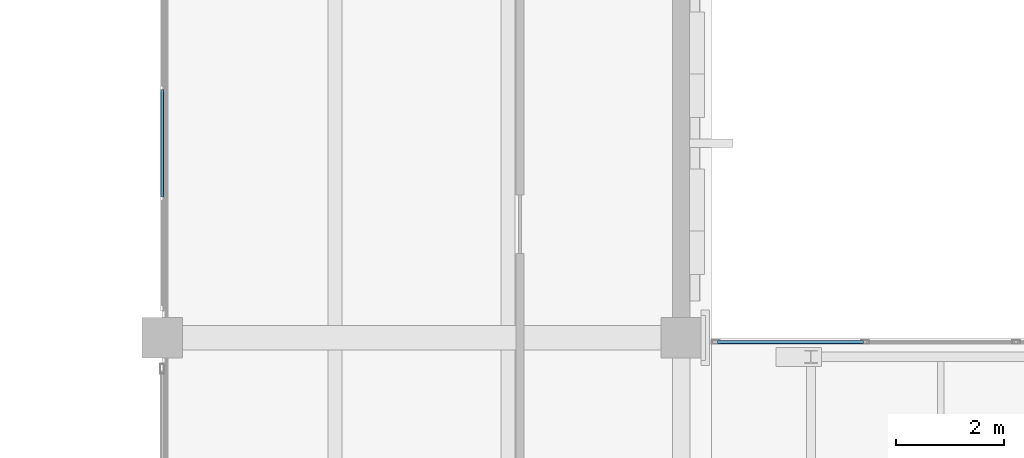
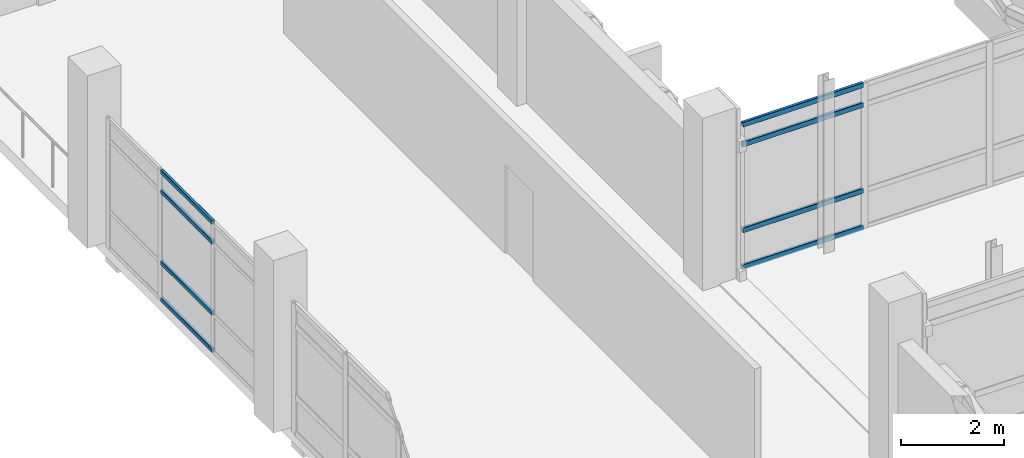
# One storey, part 105 of 180: 8 members, 2 elements without a shape of their own.
"""IFC4 building model written with IfcOpenShell, lengths in metres."""

from ifc_helpers import new_model, si_unit, direction, frame, origin, origin_2d, place, context, subcontext, project, spatial, hollow_rectangle, extrude, material, layer, layer_set, material_profile, profile_set, type_object, element, aggregate, save


model = new_model("IFC4")

# Units and contexts
model_context = context("Model", 3, precision=1e-05, world=origin(), true_north=direction((0.0, 1.0)))
body_context = subcontext(model_context, "Body", "Model", "MODEL_VIEW")
ifc_project = project(units=[si_unit("LENGTHUNIT", "METRE"), si_unit("AREAUNIT", "SQUARE_METRE"), si_unit("VOLUMEUNIT", "CUBIC_METRE"), si_unit("PLANEANGLEUNIT", "RADIAN"), si_unit("MASSUNIT", "GRAM", prefix="KILO")], contexts=[model_context])

# Site, building, storey
site_placement = place(None, origin())
site = spatial("IfcSite", under=ifc_project, at=site_placement, CompositionType="ELEMENT")
building_placement = place(site_placement, origin())
building = spatial("IfcBuilding", under=site, at=building_placement, Name="Asteropetra Specialist Clinic", CompositionType="ELEMENT")
storey_placement = place(building_placement, frame((0.0, 0.0, 4.419921875)))
storey = spatial("IfcBuildingStorey", under=building, at=storey_placement, Name="L01", CompositionType="ELEMENT", Elevation=4.419921875)

# Curtain wall, members
ifc_material_1 = material(Name="Aluminium and low-E glass", Category="aluminium")
ifc_layer_1 = layer(ifc_material_1, 0.179931640625)
ifc_layer_set_1 = layer_set([ifc_layer_1], Name="Aluminium and low-E glass")
curtain_wall_type_1 = type_object("IfcCurtainWallType", Name="CW-SYS-07", PredefinedType="USERDEFINED", material=ifc_layer_set_1)
curtain_wall_1_placement = place(storey_placement, origin())
curtain_wall_1 = element("IfcCurtainWall", 1, at=curtain_wall_1_placement, inside=storey, type_object=curtain_wall_type_1, Name="Curtain Wall CW-032", ObjectType="STICK GLAZED COLONNADE", PredefinedType="USERDEFINED")
ifc_material_2 = material(Name="Aluminium 6063-T6", Category="aluminium")
ifc_material_profile_1 = material_profile(ifc_material_2, hollow_rectangle(XDim=0.06005859375, YDim=0.10009765625, WallThickness=0.00341796875, InnerFilletRadius=0.00341796875, OuterFilletRadius=0.007080078125, at=origin_2d()), Name="TRN 100x60x3.5")
ifc_profile_set_1 = profile_set([ifc_material_profile_1], Name="Aluminium 6063-T6")
member_type_1 = type_object("IfcMemberType", Name="CWT-100x60", PredefinedType="USERDEFINED", material=ifc_profile_set_1)
member_1_placement = place(storey_placement, frame((67.199951171875, 86.6083984375, 0.030029296875), z_axis=(0.0, 1.0, 0.0), x_axis=(-1.0, 0.0, 0.0)))
member_1 = element("IfcMember", 2, at=member_1_placement, type_object=member_type_1, Name="CW-032 transom 2.1", ObjectType="TRANSOM", PredefinedType="USERDEFINED", context=body_context, shape_type="SweptSolid", body=[
    extrude(hollow_rectangle(XDim=0.06005859375, YDim=0.10009765625, WallThickness=0.00341796875, InnerFilletRadius=0.00341796875, OuterFilletRadius=0.007080078125, at=origin_2d()), origin(), (0.0, 0.0, 1.0), 1.983154296875),
])
member_2_placement = place(storey_placement, frame((67.199951171875, 86.6083984375, 0.900146484375), z_axis=(0.0, 1.0, 0.0), x_axis=(-1.0, 0.0, 0.0)))
member_2 = element("IfcMember", 3, at=member_2_placement, type_object=member_type_1, Name="CW-032 transom 2.2", ObjectType="TRANSOM", PredefinedType="USERDEFINED", context=body_context, shape_type="SweptSolid", body=[
    extrude(hollow_rectangle(XDim=0.06005859375, YDim=0.10009765625, WallThickness=0.00341796875, InnerFilletRadius=0.00341796875, OuterFilletRadius=0.007080078125, at=origin_2d()), origin(), (0.0, 0.0, 1.0), 1.983154296875),
])
member_3_placement = place(storey_placement, frame((67.199951171875, 86.6083984375, 2.580078125), z_axis=(0.0, 1.0, 0.0), x_axis=(-1.0, 0.0, 0.0)))
member_3 = element("IfcMember", 4, at=member_3_placement, type_object=member_type_1, Name="CW-032 transom 2.3", ObjectType="TRANSOM", PredefinedType="USERDEFINED", context=body_context, shape_type="SweptSolid", body=[
    extrude(hollow_rectangle(XDim=0.06005859375, YDim=0.10009765625, WallThickness=0.00341796875, InnerFilletRadius=0.00341796875, OuterFilletRadius=0.007080078125, at=origin_2d()), origin(), (0.0, 0.0, 1.0), 1.983154296875),
])
member_4_placement = place(storey_placement, frame((67.199951171875, 86.6083984375, 3.050048828125), z_axis=(0.0, 1.0, 0.0), x_axis=(-1.0, 0.0, 0.0)))
member_4 = element("IfcMember", 5, at=member_4_placement, type_object=member_type_1, Name="CW-032 transom 2.4", ObjectType="TRANSOM", PredefinedType="USERDEFINED", context=body_context, shape_type="SweptSolid", body=[
    extrude(hollow_rectangle(XDim=0.06005859375, YDim=0.10009765625, WallThickness=0.00341796875, InnerFilletRadius=0.00341796875, OuterFilletRadius=0.007080078125, at=origin_2d()), origin(), (0.0, 0.0, 1.0), 1.983154296875),
])
aggregate(curtain_wall_1, [member_1, member_2, member_3, member_4])

ifc_material_3 = material(Name="Aluminium and low-E glass", Category="aluminium")
ifc_layer_2 = layer(ifc_material_3, 0.14990234375)
ifc_layer_set_2 = layer_set([ifc_layer_2], Name="Aluminium and low-E glass")
curtain_wall_type_2 = type_object("IfcCurtainWallType", Name="CW-SYS-02", PredefinedType="USERDEFINED", material=ifc_layer_set_2)
curtain_wall_2_placement = place(storey_placement, origin())
curtain_wall_2 = element("IfcCurtainWall", 6, at=curtain_wall_2_placement, inside=storey, type_object=curtain_wall_type_2, Name="Curtain Wall CW-112", ObjectType="UNITISED CURTAIN WALL", PredefinedType="USERDEFINED")
ifc_material_4 = material(Name="Aluminium 6063-T6", Category="aluminium")
ifc_material_profile_2 = material_profile(ifc_material_4, hollow_rectangle(XDim=0.06494140625, YDim=0.1201171875, WallThickness=0.00390625, InnerFilletRadius=0.00390625, OuterFilletRadius=0.008056640625, at=origin_2d()), Name="TRN 120x65x4.0")
ifc_profile_set_2 = profile_set([ifc_material_profile_2], Name="Aluminium 6063-T6")
member_type_2 = type_object("IfcMemberType", Name="CWT-120x65", PredefinedType="USERDEFINED", material=ifc_profile_set_2)
member_5_placement = place(storey_placement, frame((80.1708984375, 83.919921875, 0.032470703125), z_axis=(-1.0, 0.0, 0.0), x_axis=(0.0, -1.0, 0.0)))
member_5 = element("IfcMember", 7, at=member_5_placement, type_object=member_type_2, Name="CW-112 transom 3.1", ObjectType="TRANSOM", PredefinedType="USERDEFINED", context=body_context, shape_type="SweptSolid", body=[
    extrude(hollow_rectangle(XDim=0.06494140625, YDim=0.1201171875, WallThickness=0.00390625, InnerFilletRadius=0.00390625, OuterFilletRadius=0.008056640625, at=origin_2d()), origin(), (0.0, 0.0, 1.0), 2.69580078125),
])
member_6_placement = place(storey_placement, frame((80.1708984375, 83.919921875, 0.900146484375), z_axis=(-1.0, 0.0, 0.0), x_axis=(0.0, -1.0, 0.0)))
member_6 = element("IfcMember", 8, at=member_6_placement, type_object=member_type_2, Name="CW-112 transom 3.2", ObjectType="TRANSOM", PredefinedType="USERDEFINED", context=body_context, shape_type="SweptSolid", body=[
    extrude(hollow_rectangle(XDim=0.06494140625, YDim=0.1201171875, WallThickness=0.00390625, InnerFilletRadius=0.00390625, OuterFilletRadius=0.008056640625, at=origin_2d()), origin(), (0.0, 0.0, 1.0), 2.69580078125),
])
member_7_placement = place(storey_placement, frame((80.1708984375, 83.919921875, 2.93017578125), z_axis=(-1.0, 0.0, 0.0), x_axis=(0.0, -1.0, 0.0)))
member_7 = element("IfcMember", 9, at=member_7_placement, type_object=member_type_2, Name="CW-112 transom 3.3", ObjectType="TRANSOM", PredefinedType="USERDEFINED", context=body_context, shape_type="SweptSolid", body=[
    extrude(hollow_rectangle(XDim=0.06494140625, YDim=0.1201171875, WallThickness=0.00390625, InnerFilletRadius=0.00390625, OuterFilletRadius=0.008056640625, at=origin_2d()), origin(), (0.0, 0.0, 1.0), 2.69580078125),
])
member_8_placement = place(storey_placement, frame((80.1708984375, 83.919921875, 3.3974609375), z_axis=(-1.0, 0.0, 0.0), x_axis=(0.0, -1.0, 0.0)))
member_8 = element("IfcMember", 10, at=member_8_placement, type_object=member_type_2, Name="CW-112 transom 3.4", ObjectType="TRANSOM", PredefinedType="USERDEFINED", context=body_context, shape_type="SweptSolid", body=[
    extrude(hollow_rectangle(XDim=0.06494140625, YDim=0.1201171875, WallThickness=0.00390625, InnerFilletRadius=0.00390625, OuterFilletRadius=0.008056640625, at=origin_2d()), origin(), (0.0, 0.0, 1.0), 2.69580078125),
])
aggregate(curtain_wall_2, [member_5, member_6, member_7, member_8])

save(model, "model.ifc")
